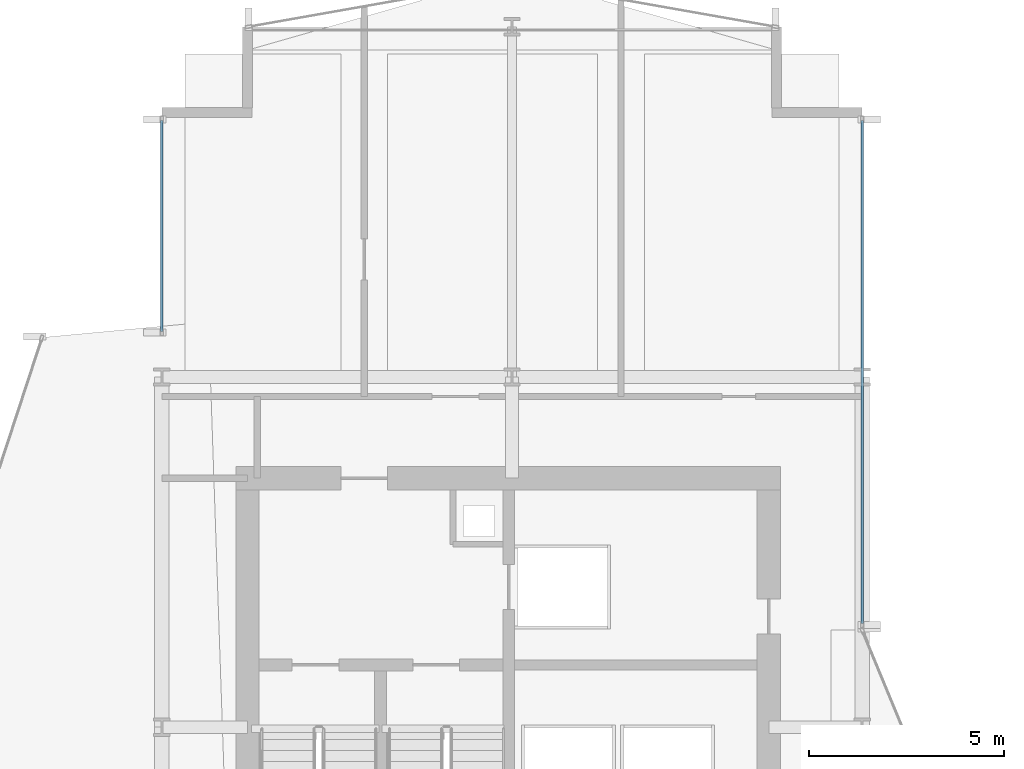
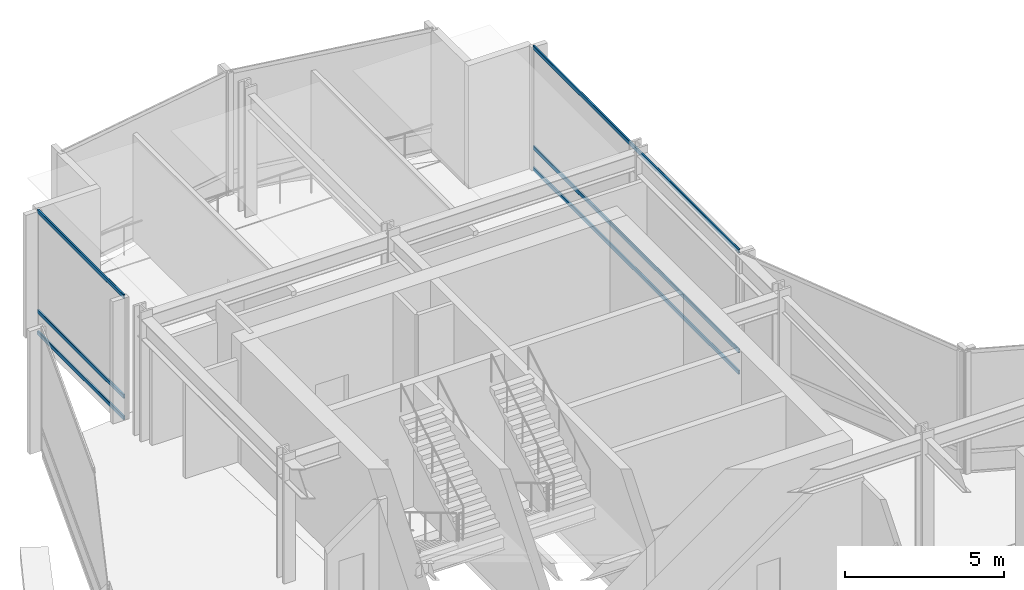
# One storey, part 24 of 39: 6 members, 2 elements without a shape of their own.
"""IFC4 building model written with IfcOpenShell, lengths in metres."""

from ifc_helpers import new_model, si_unit, direction, frame, origin, origin_2d, place, context, subcontext, project, spatial, hollow_rectangle, extrude, material, layer, layer_set, material_profile, profile_set, type_object, element, aggregate, save


model = new_model("IFC4")

# Units and contexts
model_context = context("Model", 3, precision=1e-05, world=origin(), true_north=direction((0.0, 1.0)))
body_context = subcontext(model_context, "Body", "Model", "MODEL_VIEW")
ifc_project = project(units=[si_unit("LENGTHUNIT", "METRE"), si_unit("AREAUNIT", "SQUARE_METRE"), si_unit("VOLUMEUNIT", "CUBIC_METRE"), si_unit("PLANEANGLEUNIT", "RADIAN"), si_unit("MASSUNIT", "GRAM", prefix="KILO")], contexts=[model_context])

# Site, building, storey
site_placement = place(None, origin())
site = spatial("IfcSite", under=ifc_project, at=site_placement, CompositionType="ELEMENT")
building_placement = place(site_placement, origin())
building = spatial("IfcBuilding", under=site, at=building_placement, Name="Solvaryn Broadcast Tower", CompositionType="ELEMENT")
storey_placement = place(building_placement, frame((0.0, 0.0, 84.10009765625)))
storey = spatial("IfcBuildingStorey", under=building, at=storey_placement, Name="L20", CompositionType="ELEMENT", Elevation=84.10009765625)

# Curtain wall, members
ifc_material_1 = material(Name="Aluminium and Terracotta Unitised Curtain Wall", Category="masonry")
ifc_layer = layer(ifc_material_1, 0.25)
ifc_layer_set = layer_set([ifc_layer], Name="CW-SYS4-SKYGARDEN")
curtain_wall_type = type_object("IfcCurtainWallType", Name="CW-SYS4-SKYGARDEN", PredefinedType="NOTDEFINED", material=ifc_layer_set)
curtain_wall_1_placement = place(storey_placement, origin())
curtain_wall_1 = element("IfcCurtainWall", 1, at=curtain_wall_1_placement, inside=storey, type_object=curtain_wall_type, Name="L20 Curtain Wall W2", PredefinedType="NOTDEFINED")
ifc_material_2 = material(Name="Anodised Aluminium 6063-T6", Category="aluminium")
ifc_material_profile = material_profile(ifc_material_2, hollow_rectangle(XDim=0.06494140625, YDim=0.14990234375, WallThickness=0.00390625, InnerFilletRadius=0.00390625, OuterFilletRadius=0.008056640625, at=origin_2d()))
ifc_profile_set = profile_set([ifc_material_profile], Name="Anodised Aluminium 6063-T6")
member_type = type_object("IfcMemberType", Name="CW-TRN-150", PredefinedType="USERDEFINED", material=ifc_profile_set)
member_1_placement = place(storey_placement, frame((9.0, 46.176025390625, 0.02978515625), z_axis=(0.0, 1.0, 0.0), x_axis=(-1.0, 0.0, 0.0)))
member_1 = element("IfcMember", 2, at=member_1_placement, type_object=member_type, Name="CWS4 transom 1.1", ObjectType="TRANSOM", PredefinedType="USERDEFINED", context=body_context, shape_type="SweptSolid", body=[
    extrude(hollow_rectangle(XDim=0.06494140625, YDim=0.14990234375, WallThickness=0.00390625, InnerFilletRadius=0.00390625, OuterFilletRadius=0.008056640625, at=origin_2d()), origin(), (0.0, 0.0, 1.0), 5.4140625),
])
member_2_placement = place(storey_placement, frame((9.0, 46.176025390625, 0.849853515625), z_axis=(0.0, 1.0, 0.0), x_axis=(-1.0, 0.0, 0.0)))
member_2 = element("IfcMember", 3, at=member_2_placement, type_object=member_type, Name="CWS4 transom 1.2", ObjectType="TRANSOM", PredefinedType="USERDEFINED", context=body_context, shape_type="SweptSolid", body=[
    extrude(hollow_rectangle(XDim=0.06494140625, YDim=0.14990234375, WallThickness=0.00390625, InnerFilletRadius=0.00390625, OuterFilletRadius=0.008056640625, at=origin_2d()), origin(), (0.0, 0.0, 1.0), 5.4140625),
])
member_3_placement = place(storey_placement, frame((9.0, 46.176025390625, 4.68994140625), z_axis=(0.0, 1.0, 0.0), x_axis=(-1.0, 0.0, 0.0)))
member_3 = element("IfcMember", 4, at=member_3_placement, type_object=member_type, Name="CWS4 transom 1.3", ObjectType="TRANSOM", PredefinedType="USERDEFINED", context=body_context, shape_type="SweptSolid", body=[
    extrude(hollow_rectangle(XDim=0.06494140625, YDim=0.14990234375, WallThickness=0.00390625, InnerFilletRadius=0.00390625, OuterFilletRadius=0.008056640625, at=origin_2d()), origin(), (0.0, 0.0, 1.0), 5.4140625),
])
aggregate(curtain_wall_1, [member_1, member_2, member_3])

curtain_wall_2_placement = place(storey_placement, origin())
curtain_wall_2 = element("IfcCurtainWall", 5, at=curtain_wall_2_placement, inside=storey, type_object=curtain_wall_type, Name="L20 Curtain Wall IV", PredefinedType="NOTDEFINED")
member_4_placement = place(storey_placement, frame((27.0, 51.590087890625, 0.02978515625), z_axis=(0.0, -1.0, 0.0), x_axis=(1.0, 0.0, 0.0)))
member_4 = element("IfcMember", 6, at=member_4_placement, type_object=member_type, Name="CWS4 transom 1.1", ObjectType="TRANSOM", PredefinedType="USERDEFINED", context=body_context, shape_type="SweptSolid", body=[
    extrude(hollow_rectangle(XDim=0.06494140625, YDim=0.14990234375, WallThickness=0.00390625, InnerFilletRadius=0.00390625, OuterFilletRadius=0.008056640625, at=origin_2d()), origin(), (0.0, 0.0, 1.0), 12.93017578125),
])
member_5_placement = place(storey_placement, frame((27.0, 51.590087890625, 0.849853515625), z_axis=(0.0, -1.0, 0.0), x_axis=(1.0, 0.0, 0.0)))
member_5 = element("IfcMember", 7, at=member_5_placement, type_object=member_type, Name="CWS4 transom 1.2", ObjectType="TRANSOM", PredefinedType="USERDEFINED", context=body_context, shape_type="SweptSolid", body=[
    extrude(hollow_rectangle(XDim=0.06494140625, YDim=0.14990234375, WallThickness=0.00390625, InnerFilletRadius=0.00390625, OuterFilletRadius=0.008056640625, at=origin_2d()), origin(), (0.0, 0.0, 1.0), 12.93017578125),
])
member_6_placement = place(storey_placement, frame((27.0, 51.590087890625, 4.68994140625), z_axis=(0.0, -1.0, 0.0), x_axis=(1.0, 0.0, 0.0)))
member_6 = element("IfcMember", 8, at=member_6_placement, type_object=member_type, Name="CWS4 transom 1.3", ObjectType="TRANSOM", PredefinedType="USERDEFINED", context=body_context, shape_type="SweptSolid", body=[
    extrude(hollow_rectangle(XDim=0.06494140625, YDim=0.14990234375, WallThickness=0.00390625, InnerFilletRadius=0.00390625, OuterFilletRadius=0.008056640625, at=origin_2d()), origin(), (0.0, 0.0, 1.0), 12.93017578125),
])
aggregate(curtain_wall_2, [member_4, member_5, member_6])

save(model, "model.ifc")
